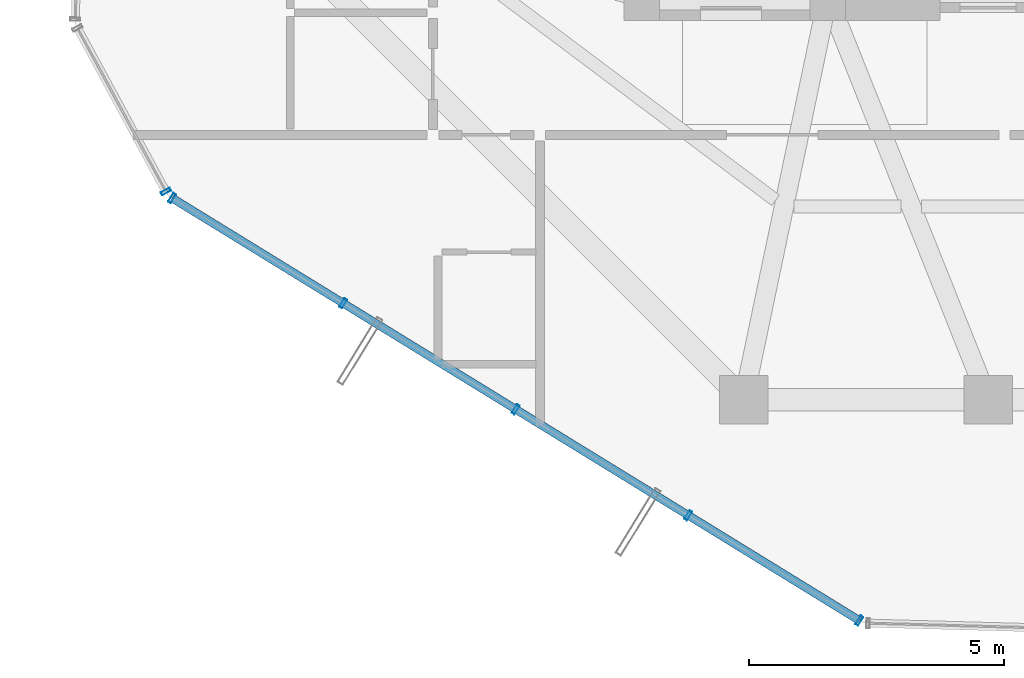
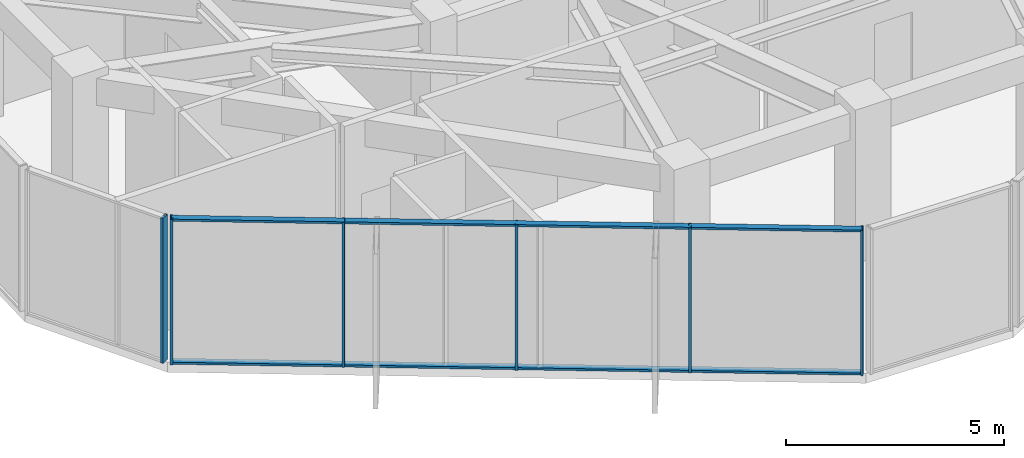
# One storey, part 2 of 22: 8 members, 2 elements without a shape of their own.
"""IFC4 building model written with IfcOpenShell, lengths in metres."""

import ifcopenshell
import ifcopenshell.guid

model = None  # the IFC model being written
_history = None  # IfcOwnerHistory: only IFC2X3 demands one
_inside = {}  # id of a spatial element -> (the spatial element, [elements in it])
_under = {}  # id of a project, library or spatial element -> (it, [spatial elements below it])
_declared = {}  # id of a project -> (the project, [libraries it declares])
_typed = {}  # id of a type object -> (the type object, [elements of that type])
_made_of = {}  # id of a material, layer set ... -> (it, [elements and type objects made of it])


def new_model(schema):
    """Start an empty IFC model of exactly this schema.

    Asked for "IFC4X3", IfcOpenShell would pick the latest addendum, in which some entities
    have other attributes; the version numbers below select the first issue.
    IFC2X3 requires an IfcOwnerHistory on every rooted entity: one is made here for all.
    """
    global model, _history
    if schema == "IFC4X3":
        model = ifcopenshell.file(schema_version=(4, 3, 0, 0))
    else:
        model = ifcopenshell.file(schema=schema)
    _inside.clear()
    _under.clear()
    _declared.clear()
    _typed.clear()
    _made_of.clear()
    _history = None
    if model.schema == "IFC2X3":
        org = make("IfcOrganization", Name="unknown")
        user = make(
            "IfcPersonAndOrganization",
            ThePerson=make("IfcPerson", FamilyName="unknown"),
            TheOrganization=org,
        )
        app = make(
            "IfcApplication",
            ApplicationDeveloper=org,
            Version="unknown",
            ApplicationFullName="unknown",
            ApplicationIdentifier="unknown",
        )
        _history = make(
            "IfcOwnerHistory",
            OwningUser=user,
            OwningApplication=app,
            ChangeAction="ADDED",
            CreationDate=0,
        )
    return model


def make(cls, **values):
    """One entity of the class cls with the attributes given. An attribute that is None is left unset."""
    return model.create_entity(
        cls, **{name: value for name, value in values.items() if value is not None}
    )


def rooted(cls, **values):
    """An entity with a GlobalId (a new one), such as an element, a storey or a relation."""
    return make(cls, GlobalId=ifcopenshell.guid.new(), OwnerHistory=_history, **values)


def si_unit(unit_type, name, prefix=None):
    """IfcSIUnit, for example si_unit("LENGTHUNIT", "METRE", prefix="MILLI")."""
    return make("IfcSIUnit", UnitType=unit_type, Prefix=prefix, Name=name)


def assignment(units):
    """IfcUnitAssignment: the units of a project."""
    return None if units is None else make("IfcUnitAssignment", Units=units)


def point(xyz):
    """IfcCartesianPoint."""
    return None if xyz is None else make("IfcCartesianPoint", Coordinates=xyz)


def direction(xyz):
    """IfcDirection."""
    return None if xyz is None else make("IfcDirection", DirectionRatios=xyz)


def frame(location, z_axis=None, x_axis=None):
    """IfcAxis2Placement3D, a coordinate frame: its origin and axes. An axis left out is left unset."""
    return make(
        "IfcAxis2Placement3D",
        Location=point(location),
        Axis=direction(z_axis),
        RefDirection=direction(x_axis),
    )


def frame_2d(location, x_axis=None):
    """IfcAxis2Placement2D, a coordinate frame in the plane: its origin and x axis."""
    return make(
        "IfcAxis2Placement2D", Location=point(location), RefDirection=direction(x_axis)
    )


def origin():
    """The frame at (0, 0, 0) with its axes left unset."""
    return frame((0.0, 0.0, 0.0))


def origin_2d():
    """The frame at (0, 0) in the plane with its x axis left unset."""
    return frame_2d((0.0, 0.0))


def place(relative_to, where):
    """IfcLocalPlacement: puts the frame where relative to a parent placement (None: the world)."""
    return make(
        "IfcLocalPlacement", PlacementRelTo=relative_to, RelativePlacement=where
    )


def context(
    kind, dimensions, precision=None, world=None, true_north=None, identifier=None
):
    """IfcGeometricRepresentationContext, for example the 3D "Model" context."""
    return make(
        "IfcGeometricRepresentationContext",
        ContextIdentifier=identifier,
        ContextType=kind,
        CoordinateSpaceDimension=dimensions,
        Precision=precision,
        WorldCoordinateSystem=world,
        TrueNorth=true_north,
    )


def subcontext(parent, identifier, kind, view, scale=None):
    """IfcGeometricRepresentationSubContext, for example "Body" below "Model"."""
    return make(
        "IfcGeometricRepresentationSubContext",
        ContextIdentifier=identifier,
        ContextType=kind,
        ParentContext=parent,
        TargetScale=scale,
        TargetView=view,
    )


def project(units=None, contexts=None):
    """IfcProject with its units and contexts."""
    return rooted(
        "IfcProject",
        Name="project",
        RepresentationContexts=contexts,
        UnitsInContext=assignment(units),
    )


def spatial(cls, under=None, at=None, **own):
    """A site, building, storey or space (cls), placed at a placement, below another one or the project."""
    s = rooted(cls, ObjectPlacement=at, **own)
    if under is not None:
        _under.setdefault(under.id(), (under, []))[1].append(s)
    return s


def profile(cls, at=None, kind="AREA", **sizes):
    """A parametric profile (cls). Its sizes go by their IFC names, for example OverallWidth=200.0."""
    return make(cls, ProfileType=kind, Position=at, **sizes)


def hollow_rectangle(**sizes):
    """IfcRectangleHollowProfileDef."""
    return profile("IfcRectangleHollowProfileDef", **sizes)


def extrude(swept, where, along, depth):
    """IfcExtrudedAreaSolid: the profile swept, set in the frame where, extruded along a direction by depth."""
    return make(
        "IfcExtrudedAreaSolid",
        SweptArea=swept,
        Position=where,
        ExtrudedDirection=direction(along),
        Depth=depth,
    )


def shape(context_of_items, identifier, shape_type, items):
    """IfcShapeRepresentation: the items that make up one representation, for example the "Body"."""
    return make(
        "IfcShapeRepresentation",
        ContextOfItems=context_of_items,
        RepresentationIdentifier=identifier,
        RepresentationType=shape_type,
        Items=items,
    )


def source(mapping_origin, context_of_items, identifier, shape_type, items):
    """IfcRepresentationMap: a shape defined once, which mapped items show again and again."""
    return make(
        "IfcRepresentationMap",
        MappingOrigin=mapping_origin,
        MappedRepresentation=shape(context_of_items, identifier, shape_type, items),
    )


def transform(
    local_origin,
    x_axis=None,
    y_axis=None,
    z_axis=None,
    scale=None,
    scale2=None,
    scale3=None,
    uniform=True,
):
    """IfcCartesianTransformationOperator3D, or its non-uniform kind. x_axis, y_axis, z_axis: its Axis1, 2, 3."""
    if uniform:
        return make(
            "IfcCartesianTransformationOperator3D",
            Axis1=direction(x_axis),
            Axis2=direction(y_axis),
            LocalOrigin=point(local_origin),
            Scale=scale,
            Axis3=direction(z_axis),
        )
    return make(
        "IfcCartesianTransformationOperator3DnonUniform",
        Axis1=direction(x_axis),
        Axis2=direction(y_axis),
        LocalOrigin=point(local_origin),
        Scale=scale,
        Axis3=direction(z_axis),
        Scale2=scale2,
        Scale3=scale3,
    )


def mapped(mapping_source, mapping_target):
    """IfcMappedItem: shows the shape of a source again, moved by a transform."""
    return make(
        "IfcMappedItem", MappingSource=mapping_source, MappingTarget=mapping_target
    )


def material(Name=None, Category=None):
    """IfcMaterial."""
    return make("IfcMaterial", Name=Name, Category=Category)


def layer(
    of_material, thickness, ventilated=None, Name=None, Category=None, Priority=None
):
    """IfcMaterialLayer: one layer of a wall or slab, of a material (None: an air gap)."""
    return make(
        "IfcMaterialLayer",
        Material=of_material,
        LayerThickness=thickness,
        IsVentilated=ventilated,
        Name=Name,
        Category=Category,
        Priority=Priority,
    )


def layer_set(layers, Name=None):
    """IfcMaterialLayerSet."""
    return make("IfcMaterialLayerSet", MaterialLayers=layers, LayerSetName=Name)


def material_profile(
    of_material, cross_section, Name=None, Category=None, Priority=None
):
    """IfcMaterialProfile: a cross section and its material."""
    return make(
        "IfcMaterialProfile",
        Name=Name,
        Material=of_material,
        Profile=cross_section,
        Priority=Priority,
        Category=Category,
    )


def profile_set(profiles, Name=None, composite=None):
    """IfcMaterialProfileSet."""
    return make(
        "IfcMaterialProfileSet",
        Name=Name,
        MaterialProfiles=profiles,
        CompositeProfile=composite,
    )


def made_of(thing, what):
    """Note that an element or type object is made of a material, layer set ...; save() writes the relation."""
    if what is not None:
        _made_of.setdefault(what.id(), (what, []))[1].append(thing)
    return thing


def type_object(cls, material=None, **own):
    """A type object (cls), such as IfcWallType, which elements share."""
    return made_of(rooted(cls, **own), material)


def element(
    cls,
    number,
    at=None,
    inside=None,
    cuts=None,
    type_object=None,
    material=None,
    context=None,
    identifier="Body",
    shape_type=None,
    held_by="IfcProductDefinitionShape",
    body=None,
    shapes=None,
    **own,
):
    """One element of the class cls, such as IfcWall. Its Tag is "e" and its number.

    at: its placement. inside: the storey or other place that contains it. cuts: it is an
    opening in that element (IfcRelVoidsElement). A single representation is given by context,
    identifier, shape_type and body (its items); several are given by shapes. held_by: the class
    of the entity that holds the representations. save() writes the other relations.
    """
    e = rooted(cls, Tag="e%d" % number, ObjectPlacement=at, **own)
    if body is not None:
        shapes = [shape(context, identifier, shape_type, body)]
    if shapes is not None:
        e.Representation = make(held_by, Representations=shapes)
    if inside is not None:
        _inside.setdefault(inside.id(), (inside, []))[1].append(e)
    if cuts is not None:
        rooted(
            "IfcRelVoidsElement", RelatingBuildingElement=cuts, RelatedOpeningElement=e
        )
    if type_object is not None:
        _typed.setdefault(type_object.id(), (type_object, []))[1].append(e)
    return made_of(e, material)


def aggregate(whole, parts):
    """IfcRelAggregates: a whole, such as a stair, and the parts it consists of."""
    return rooted("IfcRelAggregates", RelatingObject=whole, RelatedObjects=parts)


def save(model, path):
    """Write the relations noted so far, then the file.

    IfcRelAggregates (storeys below a building ...), IfcRelContainedInSpatialStructure (elements
    in a storey), IfcRelDefinesByType, IfcRelAssociatesMaterial and IfcRelDeclares: one each for
    every whole, place, type object, material and project.
    """
    for whole, parts in _under.values():
        aggregate(whole, parts)
    for where, things in _inside.values():
        rooted(
            "IfcRelContainedInSpatialStructure",
            RelatedElements=things,
            RelatingStructure=where,
        )
    for kind, things in _typed.values():
        rooted("IfcRelDefinesByType", RelatedObjects=things, RelatingType=kind)
    for what, things in _made_of.values():
        rooted("IfcRelAssociatesMaterial", RelatedObjects=things, RelatingMaterial=what)
    for by, libraries in _declared.values():
        rooted("IfcRelDeclares", RelatingContext=by, RelatedDefinitions=libraries)
    model.write(path)


model = new_model("IFC4")

# Units and contexts
model_context = context("Model", 3, precision=1e-05, world=origin(), true_north=direction((0.0, 1.0)))
body_context = subcontext(model_context, "Body", "Model", "MODEL_VIEW")
ifc_project = project(units=[si_unit("LENGTHUNIT", "METRE"), si_unit("AREAUNIT", "SQUARE_METRE"), si_unit("VOLUMEUNIT", "CUBIC_METRE"), si_unit("PLANEANGLEUNIT", "RADIAN"), si_unit("MASSUNIT", "GRAM", prefix="KILO")], contexts=[model_context])

# Site, building, storey
site_placement = place(None, origin())
site = spatial("IfcSite", under=ifc_project, at=site_placement, CompositionType="ELEMENT")
building_placement = place(site_placement, origin())
building = spatial("IfcBuilding", under=site, at=building_placement, Name="Veraguas Prism Commons", CompositionType="ELEMENT")
storey_placement = place(building_placement, frame((0.0, 0.0, 211.35009765625)))
storey = spatial("IfcBuildingStorey", under=building, at=storey_placement, Name="L60", CompositionType="ELEMENT", Elevation=211.35009765625)

# Curtain wall, members
ifc_material = material(Name="Anodised aluminium EN AW-6063 T6", Category="aluminium")
ifc_layer = layer(ifc_material, 0.199951171875, Name="Sky Lobby and Pool Acoustic Curtain Wall", Category="aluminium")
ifc_layer_set = layer_set([ifc_layer], Name="Anodised aluminium EN AW-6063 T6")
curtain_wall_type = type_object("IfcCurtainWallType", Name="Sky Lobby and Pool Acoustic Curtain Wall", PredefinedType="NOTDEFINED", material=ifc_layer_set)
curtain_wall_1_placement = place(storey_placement, origin())
curtain_wall_1 = element("IfcCurtainWall", 1, at=curtain_wall_1_placement, inside=storey, type_object=curtain_wall_type, Name="Tower Facade Curtain Wall L60-F4", PredefinedType="NOTDEFINED")
ifc_material_profile_1 = material_profile(ifc_material, hollow_rectangle(XDim=0.06494140625, YDim=0.199951171875, WallThickness=0.00390625, at=origin_2d()), Name="AL65X200X4")
ifc_profile_set_1 = profile_set([ifc_material_profile_1], Name="Anodised aluminium EN AW-6063 T6")
member_type_1 = type_object("IfcMemberType", Name="Curtain Wall Mullion Heavy AL 65x200x4", PredefinedType="MULLION", material=ifc_profile_set_1)
shared_shape_1 = source(origin(), body_context, "Body", "SweptSolid", [
    extrude(hollow_rectangle(XDim=0.06494140625, YDim=0.199951171875, WallThickness=0.00390625, at=origin_2d()), origin(), (0.0, 0.0, 1.0), 4.06494140625),
])
member_1_placement = place(storey_placement, frame((7.979248046875, 13.0595703125, 0.0), z_axis=(0.0, 0.0, 1.0), x_axis=(0.851908873825, -0.523690052129, 0.0)))
member_1 = element("IfcMember", 2, at=member_1_placement, type_object=member_type_1, Name="CW-SKY Mullion 1", PredefinedType="MULLION", context=body_context, shape_type="MappedRepresentation", body=[
    mapped(shared_shape_1, transform((0.0, 0.0, 0.0), scale=1.0)),
])
member_2_placement = place(storey_placement, frame((11.33837890625, 10.994384765625, 0.0), z_axis=(0.0, 0.0, 1.0), x_axis=(0.851908873825, -0.523690052129, 0.0)))
member_2 = element("IfcMember", 3, at=member_2_placement, type_object=member_type_1, Name="CW-SKY Mullion 2", PredefinedType="MULLION", context=body_context, shape_type="MappedRepresentation", body=[
    mapped(shared_shape_1, transform((0.0, 0.0, 0.0), scale=1.0)),
])
member_3_placement = place(storey_placement, frame((14.725341796875, 8.91259765625, 0.0), z_axis=(0.0, 0.0, 1.0), x_axis=(0.851908873825, -0.523690052129, 0.0)))
member_3 = element("IfcMember", 4, at=member_3_placement, type_object=member_type_1, Name="CW-SKY Mullion 3", PredefinedType="MULLION", context=body_context, shape_type="MappedRepresentation", body=[
    mapped(shared_shape_1, transform((0.0, 0.0, 0.0), scale=1.0)),
])
member_4_placement = place(storey_placement, frame((18.1123046875, 6.83056640625, 0.0), z_axis=(0.0, 0.0, 1.0), x_axis=(0.851908873825, -0.523690052129, 0.0)))
member_4 = element("IfcMember", 5, at=member_4_placement, type_object=member_type_1, Name="CW-SKY Mullion 4", PredefinedType="MULLION", context=body_context, shape_type="MappedRepresentation", body=[
    mapped(shared_shape_1, transform((0.0, 0.0, 0.0), scale=1.0)),
])
member_5_placement = place(storey_placement, frame((21.471435546875, 4.765625, 0.0), z_axis=(0.0, 0.0, 1.0), x_axis=(0.851908873825, -0.523690052129, 0.0)))
member_5 = element("IfcMember", 6, at=member_5_placement, type_object=member_type_1, Name="CW-SKY Mullion 5", PredefinedType="MULLION", context=body_context, shape_type="MappedRepresentation", body=[
    mapped(shared_shape_1, transform((0.0, 0.0, 0.0), scale=1.0)),
])

# Curtain wall, member
curtain_wall_2_placement = place(storey_placement, origin())
curtain_wall_2 = element("IfcCurtainWall", 7, at=curtain_wall_2_placement, inside=storey, type_object=curtain_wall_type, Name="Chamfer Curtain Wall L60-C4", PredefinedType="NOTDEFINED")
member_6_placement = place(storey_placement, frame((7.8564453125, 13.189208984375, 0.0), z_axis=(0.0, 0.0, 1.0), x_axis=(0.475928165389, -0.879484156418, 0.0)))
member_6 = element("IfcMember", 8, at=member_6_placement, type_object=member_type_1, Name="CW-SKY Mullion 2", PredefinedType="MULLION", context=body_context, shape_type="MappedRepresentation", body=[
    mapped(shared_shape_1, transform((0.0, 0.0, 0.0), scale=1.0)),
])
aggregate(curtain_wall_2, [member_6])

# Member
ifc_material_profile_2 = material_profile(ifc_material, hollow_rectangle(XDim=0.06005859375, YDim=0.159912109375, WallThickness=0.0029296875, at=origin_2d()), Name="AL60X160X3")
ifc_profile_set_2 = profile_set([ifc_material_profile_2], Name="Anodised aluminium EN AW-6063 T6")
member_type_2 = type_object("IfcMemberType", Name="Curtain Wall Transom Heavy AL 60x160x3", PredefinedType="USERDEFINED", material=ifc_profile_set_2)
shared_shape_2 = source(origin(), body_context, "Body", "SweptSolid", [
    extrude(hollow_rectangle(XDim=0.06005859375, YDim=0.159912109375, WallThickness=0.0029296875, at=origin_2d()), origin(), (0.0, 0.0, 1.0), 15.837646484375),
])
member_7_placement = place(storey_placement, frame((7.979248046875, 13.0595703125, 0.02978515625), z_axis=(0.85191015562, -0.523687966972, 0.0), x_axis=(0.0, 0.0, 1.0)))
member_7 = element("IfcMember", 9, at=member_7_placement, type_object=member_type_2, Name="CW-SKY Transom 1", ObjectType="TRANSOM", PredefinedType="USERDEFINED", context=body_context, shape_type="MappedRepresentation", body=[
    mapped(shared_shape_2, transform((0.0, 0.0, 0.0), scale=1.0)),
])

member_8_placement = place(storey_placement, frame((7.979248046875, 13.0595703125, 4.034912109375), z_axis=(0.85191015562, -0.523687966972, 0.0), x_axis=(0.0, 0.0, 1.0)))
member_8 = element("IfcMember", 10, at=member_8_placement, type_object=member_type_2, Name="CW-SKY Transom 2", ObjectType="TRANSOM", PredefinedType="USERDEFINED", context=body_context, shape_type="MappedRepresentation", body=[
    mapped(shared_shape_2, transform((0.0, 0.0, 0.0), scale=1.0)),
])

aggregate(curtain_wall_1, [member_1, member_2, member_3, member_4, member_5, member_7, member_8])

save(model, "model.ifc")
